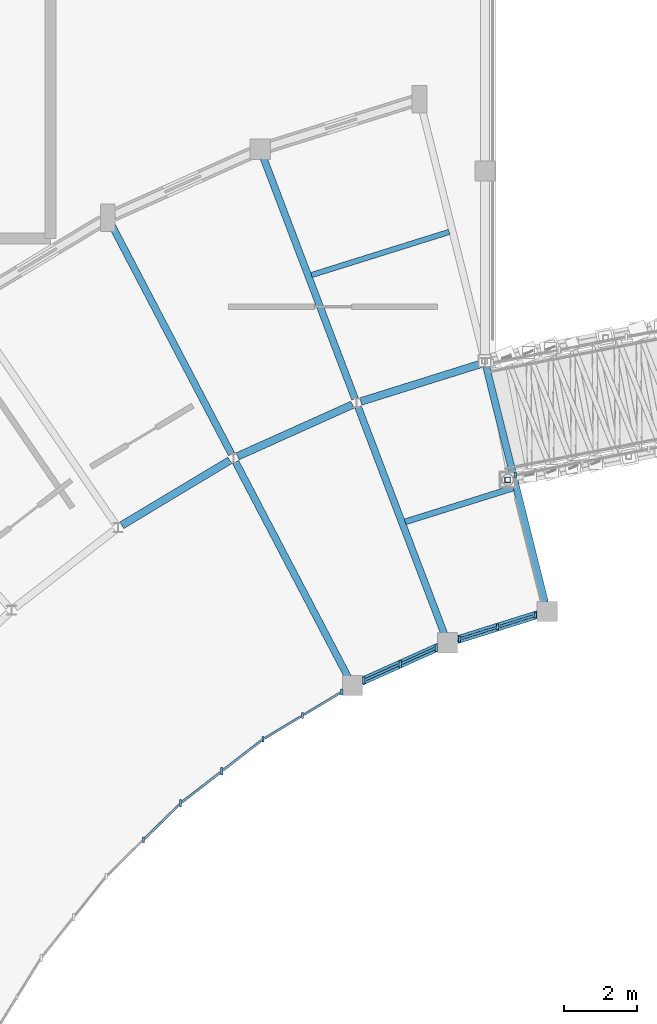
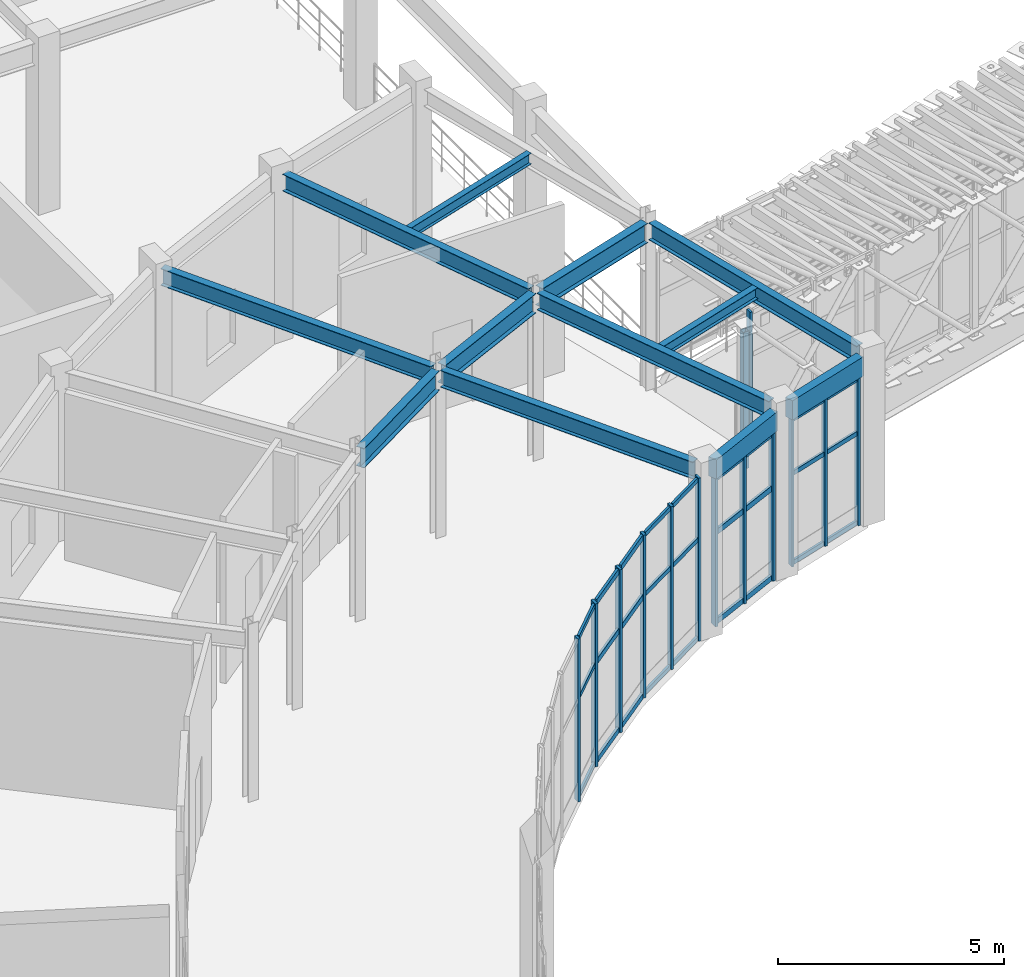
# One storey, part 46 of 144: 41 members, 12 beams, 6 elements without a shape of their own.
"""IFC4 building model written with IfcOpenShell, lengths in metres."""

from ifc_helpers import new_model, si_unit, direction, frame, origin, origin_2d, place, context, subcontext, project, spatial, rectangle, hollow_rectangle, i_section, extrude, material, material_profile, profile_set, type_object, element, aggregate, save


model = new_model("IFC4")

# Units and contexts
model_context = context("Model", 3, precision=1e-05, world=origin(), true_north=direction((0.0, 1.0)))
body_context = subcontext(model_context, "Body", "Model", "MODEL_VIEW")
ifc_project = project(units=[si_unit("LENGTHUNIT", "METRE"), si_unit("AREAUNIT", "SQUARE_METRE"), si_unit("VOLUMEUNIT", "CUBIC_METRE"), si_unit("PLANEANGLEUNIT", "RADIAN"), si_unit("MASSUNIT", "GRAM", prefix="KILO")], contexts=[model_context])

# Site, building, storey
site_placement = place(None, origin())
site = spatial("IfcSite", under=ifc_project, at=site_placement, CompositionType="ELEMENT")
building_placement = place(site_placement, origin())
building = spatial("IfcBuilding", under=site, at=building_placement, Name="Cinderbank Siding Concert Hall", CompositionType="ELEMENT")
storey_placement = place(building_placement, frame((0.0, 0.0, 5.39990234375)))
storey = spatial("IfcBuildingStorey", under=building, at=storey_placement, Name="L02", CompositionType="ELEMENT", Elevation=5.39990234375)

# Beams
ifc_material_1 = material(Name="Structural steel AS/NZS 3679.1 Grade 350 (340 MPa)", Category="steel")
ifc_material_profile_1 = material_profile(ifc_material_1, i_section(OverallWidth=0.18994140625, OverallDepth=0.45751953125, WebThickness=0.009033203125, FlangeThickness=0.014404296875, at=origin_2d()), Name="460UB74.6", Category="LoadBearing")
ifc_profile_set_1 = profile_set([ifc_material_profile_1], Name="Structural steel AS/NZS 3679.1 Grade 350 (340 MPa)")
beam_type_1 = type_object("IfcBeamType", Name="BM-UB460 460UB74.6", PredefinedType="BEAM", material=ifc_profile_set_1)
beam_1_placement = place(storey_placement, frame((50.12939453125, 91.546142578125, 4.29345703125), z_axis=(-0.241953596761, 0.970287821739, 0.0), x_axis=(-0.970287821739, -0.241953596761, 0.0)))
element("IfcBeam", 1, at=beam_1_placement, inside=storey, type_object=beam_type_1, Name="L02 Beam BM-UB460 #941", PredefinedType="BEAM", context=body_context, shape_type="SweptSolid", body=[
    extrude(i_section(OverallWidth=0.18994140625, OverallDepth=0.45751953125, WebThickness=0.009033203125, FlangeThickness=0.014404296875, at=origin_2d()), origin(), (0.0, 0.0, 1.0), 6.61328125),
])
beam_2_placement = place(storey_placement, frame((47.382568359375, 90.685302734375, 4.29345703125), z_axis=(-0.355109367134, 0.934824762923, 0.0), x_axis=(-0.934824762923, -0.355109367134, 0.0)))
element("IfcBeam", 2, at=beam_2_placement, inside=storey, type_object=beam_type_1, Name="L02 Beam BM-UB460 #942", PredefinedType="BEAM", context=body_context, shape_type="SweptSolid", body=[
    extrude(i_section(OverallWidth=0.18994140625, OverallDepth=0.45751953125, WebThickness=0.009033203125, FlangeThickness=0.014404296875, at=origin_2d()), origin(), (0.0, 0.0, 1.0), 6.613037109375),
])
beam_3_placement = place(storey_placement, frame((44.94921875, 97.091796875, 4.29345703125), z_axis=(-0.355122240395, 0.934819872691, 0.0), x_axis=(-0.934819872691, -0.355122240395, 0.0)))
element("IfcBeam", 3, at=beam_3_placement, inside=storey, type_object=beam_type_1, Name="L02 Beam BM-UB460 #945", PredefinedType="BEAM", context=body_context, shape_type="SweptSolid", body=[
    extrude(i_section(OverallWidth=0.18994140625, OverallDepth=0.45751953125, WebThickness=0.009033203125, FlangeThickness=0.014404296875, at=origin_2d()), origin(), (0.0, 0.0, 1.0), 7.012939453125),
])
beam_4_placement = place(storey_placement, frame((44.757080078125, 89.505615234375, 4.29345703125), z_axis=(-0.463296384832, 0.886203396406, 0.0), x_axis=(-0.886203396406, -0.463296384832, 0.0)))
element("IfcBeam", 4, at=beam_4_placement, inside=storey, type_object=beam_type_1, Name="L02 Beam BM-UB460 #950", PredefinedType="BEAM", context=body_context, shape_type="SweptSolid", body=[
    extrude(i_section(OverallWidth=0.18994140625, OverallDepth=0.45751953125, WebThickness=0.009033203125, FlangeThickness=0.014404296875, at=origin_2d()), origin(), (0.0, 0.0, 1.0), 6.61279296875),
])
beam_5_placement = place(storey_placement, frame((41.582275390625, 95.57861328125, 4.29345703125), z_axis=(-0.46330154949, 0.886200696366, 0.0), x_axis=(-0.886200696366, -0.46330154949, 0.0)))
element("IfcBeam", 5, at=beam_5_placement, inside=storey, type_object=beam_type_1, Name="L02 Beam BM-UB460 #951", PredefinedType="BEAM", context=body_context, shape_type="SweptSolid", body=[
    extrude(i_section(OverallWidth=0.18994140625, OverallDepth=0.45751953125, WebThickness=0.009033203125, FlangeThickness=0.014404296875, at=origin_2d()), origin(), (0.0, 0.0, 1.0), 7.088134765625),
])
ifc_material_profile_2 = material_profile(ifc_material_1, i_section(OverallWidth=0.208984375, OverallDepth=0.5283203125, WebThickness=0.009521484375, FlangeThickness=0.01318359375, at=origin_2d()), Name="530UB82.0", Category="LoadBearing")
ifc_profile_set_2 = profile_set([ifc_material_profile_2], Name="Structural steel AS/NZS 3679.1 Grade 350 (340 MPa)")
beam_type_2 = type_object("IfcBeamType", Name="BM-UB530 530UB82.0", PredefinedType="BEAM", material=ifc_profile_set_2)
beam_6_placement = place(storey_placement, frame((48.385986328125, 98.043212890625, 4.258056640625), z_axis=(-0.954239526016, -0.299043353024, 0.0), x_axis=(0.299043353024, -0.954239526016, 0.0)))
element("IfcBeam", 6, at=beam_6_placement, inside=storey, type_object=beam_type_2, Name="L02 Beam BM-UB530 #939", PredefinedType="BEAM", context=body_context, shape_type="SweptSolid", body=[
    extrude(i_section(OverallWidth=0.208984375, OverallDepth=0.5283203125, WebThickness=0.009521484375, FlangeThickness=0.01318359375, at=origin_2d()), origin(), (0.0, 0.0, 1.0), 3.43701171875),
])
for number, where, z_axis, x_axis, name in (
    (7, (44.882080078125, 96.930419921875, 4.258056640625), (-0.91210749432, -0.40995111758, 0.0), (0.40995111758, -0.91210749432, 0.0), "L02 Beam BM-UB530 #948"),
    (8, (41.534912109375, 95.410400390625, 4.258056640625), (-0.857185648763, -0.515007537377, 0.0), (0.515007537377, -0.857185648763, 0.0), "L02 Beam BM-UB530 #952"),
):
    element("IfcBeam", number, at=place(storey_placement, frame(where, z_axis=z_axis, x_axis=x_axis)), inside=storey, type_object=beam_type_2, Name=name, PredefinedType="BEAM", context=body_context, shape_type="SweptSolid", body=[
        extrude(i_section(OverallWidth=0.208984375, OverallDepth=0.5283203125, WebThickness=0.009521484375, FlangeThickness=0.01318359375, at=origin_2d()), origin(), (0.0, 0.0, 1.0), 3.436767578125),
    ])

# Member
ifc_material_2 = material(Name="Structural steel hollow section AS/NZS 1163 Grade C350L0 (350 MPa)", Category="steel")
ifc_material_profile_3 = material_profile(ifc_material_2, hollow_rectangle(XDim=0.14990234375, YDim=0.14990234375, WallThickness=0.008056640625, at=origin_2d()), Name="150x150x8.0SHS", Category="LoadBearing")
ifc_profile_set_3 = profile_set([ifc_material_profile_3], Name="Structural steel hollow section AS/NZS 1163 Grade C350L0 (350 MPa)")
member_type_1 = type_object("IfcMemberType", Name="BR-SHS150 150x150x8.0SHS Roof Truss", PredefinedType="BRACE", material=ifc_profile_set_3)
member_1_placement = place(storey_placement, frame((49.114990234375, 94.8798828125, -0.449951171875), z_axis=(0.0, 0.0, 1.0), x_axis=(1.0, 0.0, 0.0)))
element("IfcMember", 9, at=member_1_placement, inside=storey, type_object=member_type_1, Name="L02 Diagonal Brace BR-SHS150 #BRVR-BR-SHS150-L02-0051", PredefinedType="BRACE", context=body_context, shape_type="SweptSolid", body=[
    extrude(hollow_rectangle(XDim=0.14990234375, YDim=0.14990234375, WallThickness=0.008056640625, at=origin_2d()), origin(), (0.0, 0.0, 1.0), 3.699951171875),
])

# Curtain wall, members
ifc_material_3 = material(Name="Anodised aluminium alloy 6063-T6", Category="aluminium")
curtain_wall_type_1 = type_object("IfcCurtainWallType", Name="CW-13 Unitised Acoustic Curtain Wall 4200x4400", PredefinedType="NOTDEFINED", material=ifc_material_3)
curtain_wall_1_placement = place(storey_placement, origin())
curtain_wall_1 = element("IfcCurtainWall", 10, at=curtain_wall_1_placement, inside=storey, type_object=curtain_wall_type_1, Name="L02 Curtain Wall CW-13 #108", PredefinedType="NOTDEFINED")
ifc_material_profile_4 = material_profile(ifc_material_3, rectangle(XDim=0.06005859375, YDim=0.159912109375, at=origin_2d()), Name="ALU-MULL-60x160", Category="LoadBearing")
ifc_profile_set_4 = profile_set([ifc_material_profile_4], Name="Anodised aluminium alloy 6063-T6")
member_type_2 = type_object("IfcMemberType", Name="CW-ML1 Mullion 60x160", PredefinedType="MULLION", material=ifc_profile_set_4)
member_2_placement = place(storey_placement, frame((49.869384765625, 91.185302734375, 0.0), z_axis=(0.0, 0.0, 1.0), x_axis=(1.0, 0.0, 0.0)))
member_2 = element("IfcMember", 11, at=member_2_placement, type_object=member_type_2, Name="CW-L02-108 Mullion 0", PredefinedType="MULLION", context=body_context, shape_type="SweptSolid", body=[
    extrude(rectangle(XDim=0.06005859375, YDim=0.159912109375, at=origin_2d()), origin(), (0.0, 0.0, 1.0), 3.987060546875),
])
member_3_placement = place(storey_placement, frame((48.835693359375, 90.861572265625, 0.0), z_axis=(0.0, 0.0, 1.0), x_axis=(1.0, 0.0, 0.0)))
member_3 = element("IfcMember", 12, at=member_3_placement, type_object=member_type_2, Name="CW-L02-108 Mullion 1", PredefinedType="MULLION", context=body_context, shape_type="SweptSolid", body=[
    extrude(rectangle(XDim=0.06005859375, YDim=0.159912109375, at=origin_2d()), origin(), (0.0, 0.0, 1.0), 3.987060546875),
])
member_4_placement = place(storey_placement, frame((47.8017578125, 90.53759765625, 0.0), z_axis=(0.0, 0.0, 1.0), x_axis=(1.0, 0.0, 0.0)))
member_4 = element("IfcMember", 13, at=member_4_placement, type_object=member_type_2, Name="CW-L02-108 Mullion 2", PredefinedType="MULLION", context=body_context, shape_type="SweptSolid", body=[
    extrude(rectangle(XDim=0.06005859375, YDim=0.159912109375, at=origin_2d()), origin(), (0.0, 0.0, 1.0), 3.987060546875),
])

curtain_wall_2_placement = place(storey_placement, origin())
curtain_wall_2 = element("IfcCurtainWall", 14, at=curtain_wall_2_placement, inside=storey, type_object=curtain_wall_type_1, Name="L02 Curtain Wall CW-13 #110", PredefinedType="NOTDEFINED")
member_5_placement = place(storey_placement, frame((44.589599609375, 89.09375, 0.0), z_axis=(0.0, 0.0, 1.0), x_axis=(1.0, 0.0, 0.0)))
member_5 = element("IfcMember", 15, at=member_5_placement, type_object=member_type_2, Name="CW-L02-110 Mullion 0", PredefinedType="MULLION", context=body_context, shape_type="SweptSolid", body=[
    extrude(rectangle(XDim=0.06005859375, YDim=0.159912109375, at=origin_2d()), origin(), (0.0, 0.0, 1.0), 4.400146484375),
])
member_6_placement = place(storey_placement, frame((43.51513671875, 88.4482421875, 0.0), z_axis=(0.0, 0.0, 1.0), x_axis=(1.0, 0.0, 0.0)))
member_6 = element("IfcMember", 16, at=member_6_placement, type_object=member_type_2, Name="CW-L02-110 Mullion 1", PredefinedType="MULLION", context=body_context, shape_type="SweptSolid", body=[
    extrude(rectangle(XDim=0.06005859375, YDim=0.159912109375, at=origin_2d()), origin(), (0.0, 0.0, 1.0), 4.400146484375),
])
member_7_placement = place(storey_placement, frame((42.44091796875, 87.802734375, 0.0), z_axis=(0.0, 0.0, 1.0), x_axis=(1.0, 0.0, 0.0)))
member_7 = element("IfcMember", 17, at=member_7_placement, type_object=member_type_2, Name="CW-L02-110 Mullion 2", PredefinedType="MULLION", context=body_context, shape_type="SweptSolid", body=[
    extrude(rectangle(XDim=0.06005859375, YDim=0.159912109375, at=origin_2d()), origin(), (0.0, 0.0, 1.0), 4.400146484375),
])

# Curtain wall, member
curtain_wall_3_placement = place(storey_placement, origin())
curtain_wall_3 = element("IfcCurtainWall", 18, at=curtain_wall_3_placement, inside=storey, type_object=curtain_wall_type_1, Name="L02 Curtain Wall CW-13 #112", PredefinedType="NOTDEFINED")
member_8_placement = place(storey_placement, frame((39.177978515625, 85.05859375, 0.0), z_axis=(0.0, 0.0, 1.0), x_axis=(1.0, 0.0, 0.0)))
member_8 = element("IfcMember", 19, at=member_8_placement, type_object=member_type_2, Name="CW-L02-112 Mullion 1", PredefinedType="MULLION", context=body_context, shape_type="SweptSolid", body=[
    extrude(rectangle(XDim=0.06005859375, YDim=0.159912109375, at=origin_2d()), origin(), (0.0, 0.0, 1.0), 4.400146484375),
])

curtain_wall_type_2 = type_object("IfcCurtainWallType", Name="CW-15 Unitised Acoustic Curtain Wall 12800x3200", PredefinedType="NOTDEFINED", material=ifc_material_3)
curtain_wall_4_placement = place(storey_placement, origin())
curtain_wall_4 = element("IfcCurtainWall", 20, at=curtain_wall_4_placement, inside=storey, type_object=curtain_wall_type_2, Name="L02 Curtain Wall CW-15 #154", PredefinedType="NOTDEFINED")
member_9_placement = place(storey_placement, frame((49.3203125, 95.011962890625, 0.47998046875), z_axis=(0.0, 0.0, 1.0), x_axis=(1.0, 0.0, 0.0)))
member_9 = element("IfcMember", 21, at=member_9_placement, type_object=member_type_2, Name="CW-L02-154 Mullion 0", PredefinedType="MULLION", context=body_context, shape_type="SweptSolid", body=[
    extrude(rectangle(XDim=0.06005859375, YDim=0.159912109375, at=origin_2d()), origin(), (0.0, 0.0, 1.0), 3.150146484375),
])
aggregate(curtain_wall_4, [member_9])

# Curtain wall, members
curtain_wall_type_3 = type_object("IfcCurtainWallType", Name="CW-14 Unitised Acoustic Curtain Wall 4200x3800", PredefinedType="NOTDEFINED", material=ifc_material_3)
curtain_wall_5_placement = place(storey_placement, origin())
curtain_wall_5 = element("IfcCurtainWall", 22, at=curtain_wall_5_placement, inside=storey, type_object=curtain_wall_type_3, Name="L02 Curtain Wall CW-14 #109", PredefinedType="NOTDEFINED")
ifc_material_profile_5 = material_profile(ifc_material_3, rectangle(XDim=0.06494140625, YDim=0.199951171875, at=origin_2d()), Name="ALU-MULL-65x200", Category="LoadBearing")
ifc_profile_set_5 = profile_set([ifc_material_profile_5], Name="Anodised aluminium alloy 6063-T6")
member_type_3 = type_object("IfcMemberType", Name="CW-ML2 Mullion 65x200", PredefinedType="MULLION", material=ifc_profile_set_5)
member_10_placement = place(storey_placement, frame((47.167236328125, 90.29638671875, 0.0), z_axis=(0.0, 0.0, 1.0), x_axis=(1.0, 0.0, 0.0)))
member_10 = element("IfcMember", 23, at=member_10_placement, type_object=member_type_3, Name="CW-L02-109 Mullion 0", PredefinedType="MULLION", context=body_context, shape_type="SweptSolid", body=[
    extrude(rectangle(XDim=0.06494140625, YDim=0.199951171875, at=origin_2d()), origin(), (0.0, 0.0, 1.0), 3.987060546875),
])
member_11_placement = place(storey_placement, frame((46.17919921875, 89.852294921875, 0.0), z_axis=(0.0, 0.0, 1.0), x_axis=(1.0, 0.0, 0.0)))
member_11 = element("IfcMember", 24, at=member_11_placement, type_object=member_type_3, Name="CW-L02-109 Mullion 1", PredefinedType="MULLION", context=body_context, shape_type="SweptSolid", body=[
    extrude(rectangle(XDim=0.06494140625, YDim=0.199951171875, at=origin_2d()), origin(), (0.0, 0.0, 1.0), 3.987060546875),
])
member_12_placement = place(storey_placement, frame((45.19091796875, 89.408203125, 0.0), z_axis=(0.0, 0.0, 1.0), x_axis=(1.0, 0.0, 0.0)))
member_12 = element("IfcMember", 25, at=member_12_placement, type_object=member_type_3, Name="CW-L02-109 Mullion 2", PredefinedType="MULLION", context=body_context, shape_type="SweptSolid", body=[
    extrude(rectangle(XDim=0.06494140625, YDim=0.199951171875, at=origin_2d()), origin(), (0.0, 0.0, 1.0), 3.987060546875),
])

curtain_wall_6_placement = place(storey_placement, origin())
curtain_wall_6 = element("IfcCurtainWall", 26, at=curtain_wall_6_placement, inside=storey, type_object=curtain_wall_type_3, Name="L02 Curtain Wall CW-14 #111", PredefinedType="NOTDEFINED")
member_13_placement = place(storey_placement, frame((41.316162109375, 86.930419921875, 0.0), z_axis=(0.0, 0.0, 1.0), x_axis=(1.0, 0.0, 0.0)))
member_13 = element("IfcMember", 27, at=member_13_placement, type_object=member_type_3, Name="CW-L02-111 Mullion 1", PredefinedType="MULLION", context=body_context, shape_type="SweptSolid", body=[
    extrude(rectangle(XDim=0.06494140625, YDim=0.199951171875, at=origin_2d()), origin(), (0.0, 0.0, 1.0), 4.400146484375),
])
member_14_placement = place(storey_placement, frame((40.19140625, 86.05810546875, 0.0), z_axis=(0.0, 0.0, 1.0), x_axis=(1.0, 0.0, 0.0)))
member_14 = element("IfcMember", 28, at=member_14_placement, type_object=member_type_3, Name="CW-L02-111 Mullion 2", PredefinedType="MULLION", context=body_context, shape_type="SweptSolid", body=[
    extrude(rectangle(XDim=0.06494140625, YDim=0.199951171875, at=origin_2d()), origin(), (0.0, 0.0, 1.0), 4.400146484375),
])

# Member
ifc_material_profile_6 = material_profile(ifc_material_3, rectangle(XDim=0.06005859375, YDim=0.1201171875, at=origin_2d()), Name="ALU-TRAN-60x120", Category="LoadBearing")
ifc_profile_set_6 = profile_set([ifc_material_profile_6], Name="Anodised aluminium alloy 6063-T6")
member_type_4 = type_object("IfcMemberType", Name="CW-TR1 Transom 60x120", PredefinedType="USERDEFINED", material=ifc_profile_set_6)
member_15_placement = place(storey_placement, frame((49.81787109375, 91.169189453125, 0.06005859375), z_axis=(-0.954283778776, -0.298902106993, 0.0), x_axis=(0.298902106993, -0.954283778776, 0.0)))
member_15 = element("IfcMember", 29, at=member_15_placement, type_object=member_type_4, Name="CW-L02-108 Transom 0-0", ObjectType="TRANSOM", PredefinedType="USERDEFINED", context=body_context, shape_type="SweptSolid", body=[
    extrude(rectangle(XDim=0.06005859375, YDim=0.1201171875, at=origin_2d()), origin(), (0.0, 0.0, 1.0), 0.975341796875),
])

member_16_placement = place(storey_placement, frame((49.81787109375, 91.169189453125, 2.471923828125), z_axis=(-0.954283778776, -0.298902106993, 0.0), x_axis=(0.298902106993, -0.954283778776, 0.0)))
member_16 = element("IfcMember", 30, at=member_16_placement, type_object=member_type_4, Name="CW-L02-108 Transom 0-1", ObjectType="TRANSOM", PredefinedType="USERDEFINED", context=body_context, shape_type="SweptSolid", body=[
    extrude(rectangle(XDim=0.06005859375, YDim=0.1201171875, at=origin_2d()), origin(), (0.0, 0.0, 1.0), 0.975341796875),
])

member_17_placement = place(storey_placement, frame((49.81787109375, 91.169189453125, 3.927001953125), z_axis=(-0.954283778776, -0.298902106993, 0.0), x_axis=(0.298902106993, -0.954283778776, 0.0)))
member_17 = element("IfcMember", 31, at=member_17_placement, type_object=member_type_4, Name="CW-L02-108 Transom 0-2", ObjectType="TRANSOM", PredefinedType="USERDEFINED", context=body_context, shape_type="SweptSolid", body=[
    extrude(rectangle(XDim=0.06005859375, YDim=0.1201171875, at=origin_2d()), origin(), (0.0, 0.0, 1.0), 0.975341796875),
])

member_18_placement = place(storey_placement, frame((48.783935546875, 90.84521484375, 0.06005859375), z_axis=(-0.954261405053, -0.298973528637, 0.0), x_axis=(0.298973528637, -0.954261405053, 0.0)))
member_18 = element("IfcMember", 32, at=member_18_placement, type_object=member_type_4, Name="CW-L02-108 Transom 1-0", ObjectType="TRANSOM", PredefinedType="USERDEFINED", context=body_context, shape_type="SweptSolid", body=[
    extrude(rectangle(XDim=0.06005859375, YDim=0.1201171875, at=origin_2d()), origin(), (0.0, 0.0, 1.0), 0.97509765625),
])

member_19_placement = place(storey_placement, frame((48.783935546875, 90.84521484375, 2.471923828125), z_axis=(-0.954261405053, -0.298973528637, 0.0), x_axis=(0.298973528637, -0.954261405053, 0.0)))
member_19 = element("IfcMember", 33, at=member_19_placement, type_object=member_type_4, Name="CW-L02-108 Transom 1-1", ObjectType="TRANSOM", PredefinedType="USERDEFINED", context=body_context, shape_type="SweptSolid", body=[
    extrude(rectangle(XDim=0.06005859375, YDim=0.1201171875, at=origin_2d()), origin(), (0.0, 0.0, 1.0), 0.97509765625),
])

member_20_placement = place(storey_placement, frame((48.783935546875, 90.84521484375, 3.927001953125), z_axis=(-0.954261405053, -0.298973528637, 0.0), x_axis=(0.298973528637, -0.954261405053, 0.0)))
member_20 = element("IfcMember", 34, at=member_20_placement, type_object=member_type_4, Name="CW-L02-108 Transom 1-2", ObjectType="TRANSOM", PredefinedType="USERDEFINED", context=body_context, shape_type="SweptSolid", body=[
    extrude(rectangle(XDim=0.06005859375, YDim=0.1201171875, at=origin_2d()), origin(), (0.0, 0.0, 1.0), 0.97509765625),
])

aggregate(curtain_wall_1, [member_2, member_3, member_4, member_15, member_16, member_17, member_18, member_19, member_20])

member_21_placement = place(storey_placement, frame((44.53564453125, 89.0615234375, 0.06005859375), z_axis=(-0.857110732757, -0.515132208071, 0.0), x_axis=(0.515132208071, -0.857110732757, 0.0)))
member_21 = element("IfcMember", 35, at=member_21_placement, type_object=member_type_4, Name="CW-L02-110 Transom 0-0", ObjectType="TRANSOM", PredefinedType="USERDEFINED", context=body_context, shape_type="SweptSolid", body=[
    extrude(rectangle(XDim=0.06005859375, YDim=0.1201171875, at=origin_2d()), origin(), (0.0, 0.0, 1.0), 1.1279296875),
])

member_22_placement = place(storey_placement, frame((44.53564453125, 89.0615234375, 2.72802734375), z_axis=(-0.857110732757, -0.515132208071, 0.0), x_axis=(0.515132208071, -0.857110732757, 0.0)))
member_22 = element("IfcMember", 36, at=member_22_placement, type_object=member_type_4, Name="CW-L02-110 Transom 0-1", ObjectType="TRANSOM", PredefinedType="USERDEFINED", context=body_context, shape_type="SweptSolid", body=[
    extrude(rectangle(XDim=0.06005859375, YDim=0.1201171875, at=origin_2d()), origin(), (0.0, 0.0, 1.0), 1.1279296875),
])

member_23_placement = place(storey_placement, frame((44.53564453125, 89.0615234375, 4.340087890625), z_axis=(-0.857110732757, -0.515132208071, 0.0), x_axis=(0.515132208071, -0.857110732757, 0.0)))
member_23 = element("IfcMember", 37, at=member_23_placement, type_object=member_type_4, Name="CW-L02-110 Transom 0-2", ObjectType="TRANSOM", PredefinedType="USERDEFINED", context=body_context, shape_type="SweptSolid", body=[
    extrude(rectangle(XDim=0.06005859375, YDim=0.1201171875, at=origin_2d()), origin(), (0.0, 0.0, 1.0), 1.1279296875),
])

member_24_placement = place(storey_placement, frame((43.46142578125, 88.416015625, 0.06005859375), z_axis=(-0.857168152113, -0.515036657922, 0.0), x_axis=(0.515036657922, -0.857168152113, 0.0)))
member_24 = element("IfcMember", 38, at=member_24_placement, type_object=member_type_4, Name="CW-L02-110 Transom 1-0", ObjectType="TRANSOM", PredefinedType="USERDEFINED", context=body_context, shape_type="SweptSolid", body=[
    extrude(rectangle(XDim=0.06005859375, YDim=0.1201171875, at=origin_2d()), origin(), (0.0, 0.0, 1.0), 1.128173828125),
])

member_25_placement = place(storey_placement, frame((43.46142578125, 88.416015625, 2.72802734375), z_axis=(-0.857168152113, -0.515036657922, 0.0), x_axis=(0.515036657922, -0.857168152113, 0.0)))
member_25 = element("IfcMember", 39, at=member_25_placement, type_object=member_type_4, Name="CW-L02-110 Transom 1-1", ObjectType="TRANSOM", PredefinedType="USERDEFINED", context=body_context, shape_type="SweptSolid", body=[
    extrude(rectangle(XDim=0.06005859375, YDim=0.1201171875, at=origin_2d()), origin(), (0.0, 0.0, 1.0), 1.128173828125),
])

member_26_placement = place(storey_placement, frame((43.46142578125, 88.416015625, 4.340087890625), z_axis=(-0.857168152113, -0.515036657922, 0.0), x_axis=(0.515036657922, -0.857168152113, 0.0)))
member_26 = element("IfcMember", 40, at=member_26_placement, type_object=member_type_4, Name="CW-L02-110 Transom 1-2", ObjectType="TRANSOM", PredefinedType="USERDEFINED", context=body_context, shape_type="SweptSolid", body=[
    extrude(rectangle(XDim=0.06005859375, YDim=0.1201171875, at=origin_2d()), origin(), (0.0, 0.0, 1.0), 1.128173828125),
])

aggregate(curtain_wall_2, [member_5, member_6, member_7, member_21, member_22, member_23, member_24, member_25, member_26])

member_27_placement = place(storey_placement, frame((40.140869140625, 86.008056640625, 0.06005859375), z_axis=(-0.711949481775, -0.702230685316, 0.0), x_axis=(0.702230685316, -0.711949481775, 0.0)))
member_27 = element("IfcMember", 41, at=member_27_placement, type_object=member_type_4, Name="CW-L02-112 Transom 0-0", ObjectType="TRANSOM", PredefinedType="USERDEFINED", context=body_context, shape_type="SweptSolid", body=[
    extrude(rectangle(XDim=0.06005859375, YDim=0.1201171875, at=origin_2d()), origin(), (0.0, 0.0, 1.0), 1.28125),
])

member_28_placement = place(storey_placement, frame((40.140869140625, 86.008056640625, 2.72802734375), z_axis=(-0.711949481775, -0.702230685316, 0.0), x_axis=(0.702230685316, -0.711949481775, 0.0)))
member_28 = element("IfcMember", 42, at=member_28_placement, type_object=member_type_4, Name="CW-L02-112 Transom 0-1", ObjectType="TRANSOM", PredefinedType="USERDEFINED", context=body_context, shape_type="SweptSolid", body=[
    extrude(rectangle(XDim=0.06005859375, YDim=0.1201171875, at=origin_2d()), origin(), (0.0, 0.0, 1.0), 1.28125),
])

member_29_placement = place(storey_placement, frame((40.140869140625, 86.008056640625, 4.340087890625), z_axis=(-0.711949481775, -0.702230685316, 0.0), x_axis=(0.702230685316, -0.711949481775, 0.0)))
member_29 = element("IfcMember", 43, at=member_29_placement, type_object=member_type_4, Name="CW-L02-112 Transom 0-2", ObjectType="TRANSOM", PredefinedType="USERDEFINED", context=body_context, shape_type="SweptSolid", body=[
    extrude(rectangle(XDim=0.06005859375, YDim=0.1201171875, at=origin_2d()), origin(), (0.0, 0.0, 1.0), 1.28125),
])

aggregate(curtain_wall_3, [member_8, member_27, member_28, member_29])

ifc_material_profile_7 = material_profile(ifc_material_3, rectangle(XDim=0.06494140625, YDim=0.14990234375, at=origin_2d()), Name="ALU-TRAN-65x150", Category="LoadBearing")
ifc_profile_set_7 = profile_set([ifc_material_profile_7], Name="Anodised aluminium alloy 6063-T6")
member_type_5 = type_object("IfcMemberType", Name="CW-TR2 Transom 65x150", PredefinedType="USERDEFINED", material=ifc_profile_set_7)
member_30_placement = place(storey_placement, frame((47.117919921875, 90.274169921875, 0.06005859375), z_axis=(-0.912141564292, -0.409875306271, 0.0), x_axis=(0.409875306271, -0.912141564292, 0.0)))
member_30 = element("IfcMember", 44, at=member_30_placement, type_object=member_type_5, Name="CW-L02-109 Transom 0-0", ObjectType="TRANSOM", PredefinedType="USERDEFINED", context=body_context, shape_type="SweptSolid", body=[
    extrude(rectangle(XDim=0.06494140625, YDim=0.14990234375, at=origin_2d()), origin(), (0.0, 0.0, 1.0), 0.97509765625),
])

member_31_placement = place(storey_placement, frame((47.117919921875, 90.274169921875, 2.471923828125), z_axis=(-0.912141564292, -0.409875306271, 0.0), x_axis=(0.409875306271, -0.912141564292, 0.0)))
member_31 = element("IfcMember", 45, at=member_31_placement, type_object=member_type_5, Name="CW-L02-109 Transom 0-1", ObjectType="TRANSOM", PredefinedType="USERDEFINED", context=body_context, shape_type="SweptSolid", body=[
    extrude(rectangle(XDim=0.06494140625, YDim=0.14990234375, at=origin_2d()), origin(), (0.0, 0.0, 1.0), 0.97509765625),
])

member_32_placement = place(storey_placement, frame((47.117919921875, 90.274169921875, 3.927001953125), z_axis=(-0.912141564292, -0.409875306271, 0.0), x_axis=(0.409875306271, -0.912141564292, 0.0)))
member_32 = element("IfcMember", 46, at=member_32_placement, type_object=member_type_5, Name="CW-L02-109 Transom 0-2", ObjectType="TRANSOM", PredefinedType="USERDEFINED", context=body_context, shape_type="SweptSolid", body=[
    extrude(rectangle(XDim=0.06494140625, YDim=0.14990234375, at=origin_2d()), origin(), (0.0, 0.0, 1.0), 0.97509765625),
])

member_33_placement = place(storey_placement, frame((46.129638671875, 89.830078125, 0.06005859375), z_axis=(-0.912099486264, -0.409968934381, 0.0), x_axis=(0.409968934381, -0.912099486264, 0.0)))
member_33 = element("IfcMember", 47, at=member_33_placement, type_object=member_type_5, Name="CW-L02-109 Transom 1-0", ObjectType="TRANSOM", PredefinedType="USERDEFINED", context=body_context, shape_type="SweptSolid", body=[
    extrude(rectangle(XDim=0.06494140625, YDim=0.14990234375, at=origin_2d()), origin(), (0.0, 0.0, 1.0), 0.974853515625),
])

member_34_placement = place(storey_placement, frame((46.129638671875, 89.830078125, 2.471923828125), z_axis=(-0.912099486264, -0.409968934381, 0.0), x_axis=(0.409968934381, -0.912099486264, 0.0)))
member_34 = element("IfcMember", 48, at=member_34_placement, type_object=member_type_5, Name="CW-L02-109 Transom 1-1", ObjectType="TRANSOM", PredefinedType="USERDEFINED", context=body_context, shape_type="SweptSolid", body=[
    extrude(rectangle(XDim=0.06494140625, YDim=0.14990234375, at=origin_2d()), origin(), (0.0, 0.0, 1.0), 0.974853515625),
])

member_35_placement = place(storey_placement, frame((46.129638671875, 89.830078125, 3.927001953125), z_axis=(-0.912099486264, -0.409968934381, 0.0), x_axis=(0.409968934381, -0.912099486264, 0.0)))
member_35 = element("IfcMember", 49, at=member_35_placement, type_object=member_type_5, Name="CW-L02-109 Transom 1-2", ObjectType="TRANSOM", PredefinedType="USERDEFINED", context=body_context, shape_type="SweptSolid", body=[
    extrude(rectangle(XDim=0.06494140625, YDim=0.14990234375, at=origin_2d()), origin(), (0.0, 0.0, 1.0), 0.974853515625),
])

aggregate(curtain_wall_5, [member_10, member_11, member_12, member_30, member_31, member_32, member_33, member_34, member_35])

member_36_placement = place(storey_placement, frame((42.384521484375, 87.759033203125, 0.06005859375), z_axis=(-0.790244289091, -0.612791941493, 0.0), x_axis=(0.612791941493, -0.790244289091, 0.0)))
member_36 = element("IfcMember", 50, at=member_36_placement, type_object=member_type_5, Name="CW-L02-111 Transom 0-0", ObjectType="TRANSOM", PredefinedType="USERDEFINED", context=body_context, shape_type="SweptSolid", body=[
    extrude(rectangle(XDim=0.06494140625, YDim=0.14990234375, at=origin_2d()), origin(), (0.0, 0.0, 1.0), 1.28076171875),
])

member_37_placement = place(storey_placement, frame((42.384521484375, 87.759033203125, 2.72802734375), z_axis=(-0.790244289091, -0.612791941493, 0.0), x_axis=(0.612791941493, -0.790244289091, 0.0)))
member_37 = element("IfcMember", 51, at=member_37_placement, type_object=member_type_5, Name="CW-L02-111 Transom 0-1", ObjectType="TRANSOM", PredefinedType="USERDEFINED", context=body_context, shape_type="SweptSolid", body=[
    extrude(rectangle(XDim=0.06494140625, YDim=0.14990234375, at=origin_2d()), origin(), (0.0, 0.0, 1.0), 1.28076171875),
])

member_38_placement = place(storey_placement, frame((42.384521484375, 87.759033203125, 4.340087890625), z_axis=(-0.790244289091, -0.612791941493, 0.0), x_axis=(0.612791941493, -0.790244289091, 0.0)))
member_38 = element("IfcMember", 52, at=member_38_placement, type_object=member_type_5, Name="CW-L02-111 Transom 0-2", ObjectType="TRANSOM", PredefinedType="USERDEFINED", context=body_context, shape_type="SweptSolid", body=[
    extrude(rectangle(XDim=0.06494140625, YDim=0.14990234375, at=origin_2d()), origin(), (0.0, 0.0, 1.0), 1.28076171875),
])

member_39_placement = place(storey_placement, frame((41.260009765625, 86.88671875, 0.06005859375), z_axis=(-0.790151989894, -0.612910950193, 0.0), x_axis=(0.612910950193, -0.790151989894, 0.0)))
member_39 = element("IfcMember", 53, at=member_39_placement, type_object=member_type_5, Name="CW-L02-111 Transom 1-0", ObjectType="TRANSOM", PredefinedType="USERDEFINED", context=body_context, shape_type="SweptSolid", body=[
    extrude(rectangle(XDim=0.06494140625, YDim=0.14990234375, at=origin_2d()), origin(), (0.0, 0.0, 1.0), 1.281005859375),
])

member_40_placement = place(storey_placement, frame((41.260009765625, 86.88671875, 2.72802734375), z_axis=(-0.790151989894, -0.612910950193, 0.0), x_axis=(0.612910950193, -0.790151989894, 0.0)))
member_40 = element("IfcMember", 54, at=member_40_placement, type_object=member_type_5, Name="CW-L02-111 Transom 1-1", ObjectType="TRANSOM", PredefinedType="USERDEFINED", context=body_context, shape_type="SweptSolid", body=[
    extrude(rectangle(XDim=0.06494140625, YDim=0.14990234375, at=origin_2d()), origin(), (0.0, 0.0, 1.0), 1.281005859375),
])

member_41_placement = place(storey_placement, frame((41.260009765625, 86.88671875, 4.340087890625), z_axis=(-0.790151989894, -0.612910950193, 0.0), x_axis=(0.612910950193, -0.790151989894, 0.0)))
member_41 = element("IfcMember", 55, at=member_41_placement, type_object=member_type_5, Name="CW-L02-111 Transom 1-2", ObjectType="TRANSOM", PredefinedType="USERDEFINED", context=body_context, shape_type="SweptSolid", body=[
    extrude(rectangle(XDim=0.06494140625, YDim=0.14990234375, at=origin_2d()), origin(), (0.0, 0.0, 1.0), 1.281005859375),
])

aggregate(curtain_wall_6, [member_13, member_14, member_36, member_37, member_38, member_39, member_40, member_41])

# Beams
ifc_material_profile_8 = material_profile(ifc_material_1, i_section(OverallWidth=0.1650390625, OverallDepth=0.303955078125, WebThickness=0.006103515625, FlangeThickness=0.01025390625, at=origin_2d()), Name="310UB40.4", Category="LoadBearing")
ifc_profile_set_8 = profile_set([ifc_material_profile_8], Name="Structural steel AS/NZS 3679.1 Grade 350 (340 MPa)")
beam_type_3 = type_object("IfcBeamType", Name="JS-UB310 310UB40.4", PredefinedType="JOIST", material=ifc_profile_set_8)
beam_7_placement = place(storey_placement, frame((49.26220703125, 94.656494140625, 4.3701171875), z_axis=(-0.954244423023, -0.299027726355, 0.0), x_axis=(0.299027726355, -0.954244423023, 0.0)))
element("IfcBeam", 56, at=beam_7_placement, inside=storey, type_object=beam_type_3, Name="L02 Beam JS-UB310 #943", PredefinedType="JOIST", context=body_context, shape_type="SweptSolid", body=[
    extrude(i_section(OverallWidth=0.1650390625, OverallDepth=0.303955078125, WebThickness=0.006103515625, FlangeThickness=0.01025390625, at=origin_2d()), origin(), (0.0, 0.0, 1.0), 3.083740234375),
])
ifc_material_profile_9 = material_profile(ifc_material_1, i_section(OverallWidth=0.14892578125, OverallDepth=0.298095703125, WebThickness=0.005615234375, FlangeThickness=0.008056640625, at=origin_2d()), Name="310UB32.0", Category="LoadBearing")
ifc_profile_set_9 = profile_set([ifc_material_profile_9], Name="Structural steel AS/NZS 3679.1 Grade 350 (340 MPa)")
beam_type_4 = type_object("IfcBeamType", Name="JS-UB310L 310UB32.0", PredefinedType="JOIST", material=ifc_profile_set_9)
beam_8_placement = place(storey_placement, frame((47.5205078125, 101.642578125, 4.373046875), z_axis=(-0.954250242352, -0.299009155331, 0.0), x_axis=(0.299009155331, -0.954250242352, 0.0)))
element("IfcBeam", 57, at=beam_8_placement, inside=storey, type_object=beam_type_4, Name="L02 Beam JS-UB310L #946", PredefinedType="JOIST", context=body_context, shape_type="SweptSolid", body=[
    extrude(i_section(OverallWidth=0.14892578125, OverallDepth=0.298095703125, WebThickness=0.005615234375, FlangeThickness=0.008056640625, at=origin_2d()), origin(), (0.0, 0.0, 1.0), 3.93798828125),
])
ifc_material_4 = material(Name="Spotted gum glulam timber GL18 (42 MPa)", Category="wood")
ifc_material_profile_10 = material_profile(ifc_material_4, rectangle(XDim=0.215087890625, YDim=0.52001953125, at=origin_2d()), Name="GL18-215x520", Category="LoadBearing")
ifc_profile_set_10 = profile_set([ifc_material_profile_10], Name="Spotted gum glulam timber GL18 (42 MPa)")
beam_type_5 = type_object("IfcBeamType", Name="SP-GL520 GL18-215x520", PredefinedType="SPANDREL", material=ifc_profile_set_10)
beam_9_placement = place(storey_placement, frame((49.939208984375, 91.207275390625, 4.26220703125), z_axis=(-0.954239252467, -0.299044225911, 0.0), x_axis=(0.299044225911, -0.954239252467, 0.0)))
element("IfcBeam", 58, at=beam_9_placement, inside=storey, type_object=beam_type_5, Name="L02 Beam SP-GL520 #938", PredefinedType="SPANDREL", context=body_context, shape_type="SweptSolid", body=[
    extrude(rectangle(XDim=0.215087890625, YDim=0.52001953125, at=origin_2d()), origin(), (0.0, 0.0, 1.0), 2.31298828125),
])
beam_10_placement = place(storey_placement, frame((47.23388671875, 90.326416015625, 4.26220703125), z_axis=(-0.912118930481, -0.409925672113, 0.0), x_axis=(0.409925672113, -0.912118930481, 0.0)))
element("IfcBeam", 59, at=beam_10_placement, inside=storey, type_object=beam_type_5, Name="L02 Beam SP-GL520 #947", PredefinedType="SPANDREL", context=body_context, shape_type="SweptSolid", body=[
    extrude(rectangle(XDim=0.215087890625, YDim=0.52001953125, at=origin_2d()), origin(), (0.0, 0.0, 1.0), 2.3125),
])

save(model, "model.ifc")
